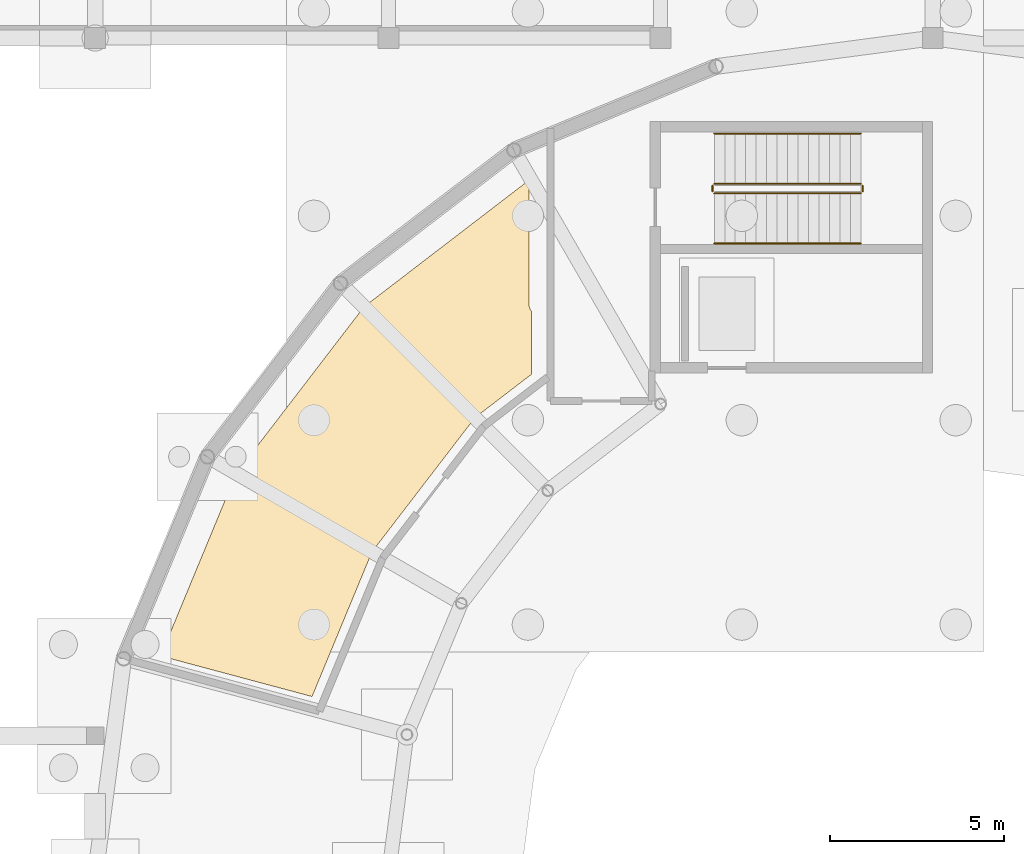
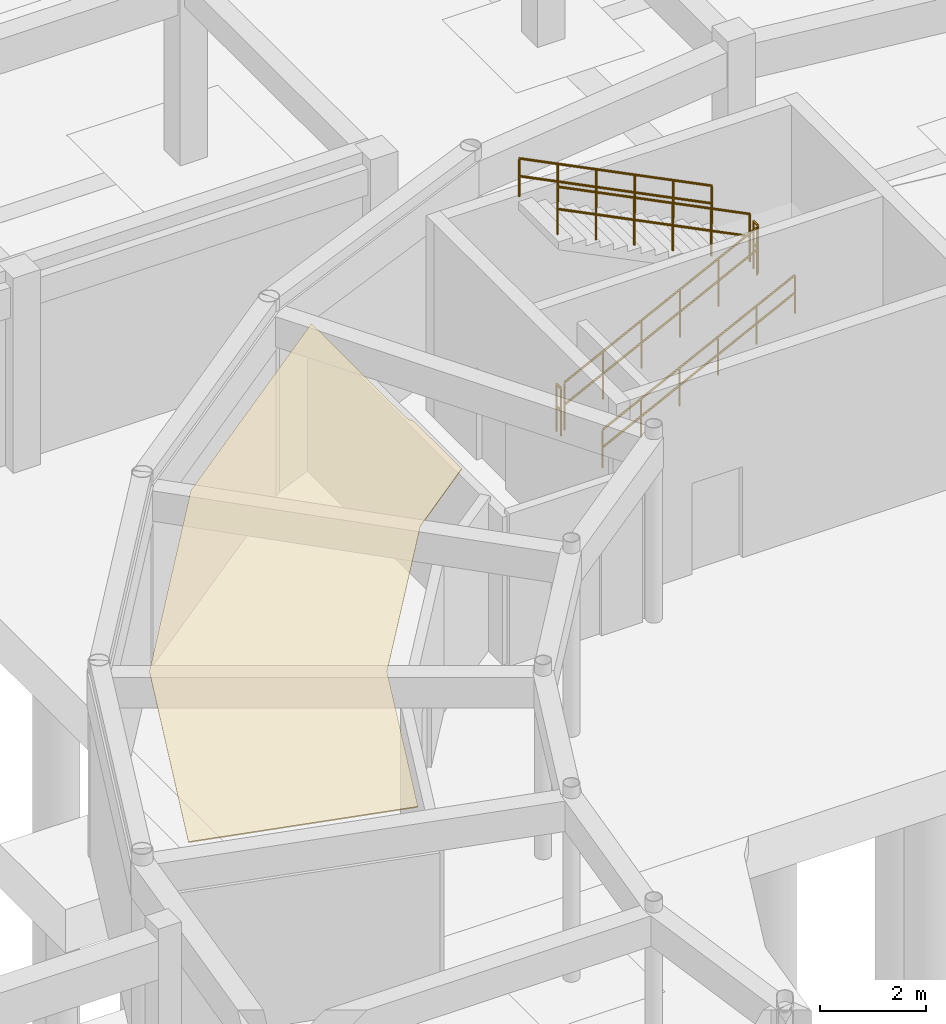
# One storey, part 38 of 43: 6 railings, 1 covering.
"""IFC4 building model written with IfcOpenShell, lengths in metres."""

from ifc_helpers import new_model, si_unit, derived_unit, direction, frame, origin, origin_2d, place, context, subcontext, project, spatial, polyline, circle, outline, extrude, material, layer, layer_set, type_object, element, save


model = new_model("IFC4")

# Units and contexts
model_context = context("Model", 3, precision=1e-05, world=origin(), true_north=direction((0.0, 1.0)))
body_context = subcontext(model_context, "Body", "Model", "MODEL_VIEW")
ifc_project = project(units=[si_unit("LENGTHUNIT", "METRE"), si_unit("AREAUNIT", "SQUARE_METRE"), si_unit("VOLUMEUNIT", "CUBIC_METRE"), si_unit("PLANEANGLEUNIT", "RADIAN"), si_unit("MASSUNIT", "GRAM", prefix="KILO"), derived_unit("THERMALTRANSMITTANCEUNIT", [(si_unit("POWERUNIT", "WATT"), 1), (si_unit("AREAUNIT", "SQUARE_METRE"), -1), (si_unit("THERMODYNAMICTEMPERATUREUNIT", "KELVIN"), -1)])], contexts=[model_context])

# Site, building, storey
site_placement = place(None, origin())
site = spatial("IfcSite", under=ifc_project, at=site_placement, CompositionType="ELEMENT")
building_placement = place(site_placement, origin())
building = spatial("IfcBuilding", under=site, at=building_placement, Name="Yasenodar Specialist Clinic", CompositionType="ELEMENT")
storey_placement = place(building_placement, frame((0.0, 0.0, -4.5)))
storey = spatial("IfcBuildingStorey", under=building, at=storey_placement, Name="B1", CompositionType="ELEMENT", Elevation=-4.5)

# Covering
ifc_material_1 = material(Name="Hygienic Acoustic Mineral-Fibre Ceiling")
ifc_layer = layer(ifc_material_1, 0.02490234375)
ifc_layer_set = layer_set([ifc_layer], Name="Hygienic Acoustic Mineral-Fibre Ceiling")
covering_type = type_object("IfcCoveringType", Name="COV-CEIL-AC", PredefinedType="CEILING", material=ifc_layer_set)
covering_placement = place(storey_placement, frame((0.0, 0.0, 4.2099609375)))
element("IfcCovering", 1, at=covering_placement, inside=storey, type_object=covering_type, Name="B1 Autoclave Sterilization Suite Acoustic Ceiling", PredefinedType="CEILING", context=body_context, shape_type="SweptSolid", body=[
    extrude(outline(polyline([(67.873046875, 71.906005859375), (67.85302734375, 71.882080078125), (64.9609375, 68.113037109375), (64.943115234375, 68.087890625), (64.927978515625, 68.06201171875), (64.9150390625, 68.033935546875), (63.214111328125, 63.927978515625), (58.873046875, 65.091064453125), (61.041015625, 70.322998046875), (64.702880859375, 75.096923828125), (69.429931640625, 78.72412109375), (69.429931640625, 75.179931640625), (69.431884765625, 75.14599609375), (69.43701171875, 75.112060546875), (69.445068359375, 75.077880859375), (69.45703125, 75.0458984375), (69.470947265625, 75.014892578125), (69.489013671875, 74.986083984375), (69.5, 74.970947265625), (69.5, 73.160888671875), (67.91796875, 71.947021484375), (67.89404296875, 71.927001953125), (67.873046875, 71.906005859375)])), origin(), (0.0, 0.0, 1.0), 0.025146484375),
])

# Railings
ifc_material_2 = material(Name="Steel S355 Painted Stair Guardrail", Category="steel")
railing_type_1 = type_object("IfcRailingType", Name="RL-ST-GRD", PredefinedType="GUARDRAIL", material=ifc_material_2)
railing_1_placement = place(storey_placement, frame((74.739990234375, 78.35009765625, 0.14990234375)))
element("IfcRailing", 2, at=railing_1_placement, inside=storey, type_object=railing_type_1, Name="B1 ST-03 stair guard 1", PredefinedType="GUARDRAIL", context=body_context, shape_type="SweptSolid", body=[
    extrude(circle(Radius=0.02392578125, at=origin_2d()), frame((0.0, 0.0, 1.09619140625), z_axis=(0.894416792377, 0.0, 0.447234392142), x_axis=(0.0, 1.0, 0.0)), (0.0, 0.0, 1.0), 4.69580078125),
    extrude(circle(Radius=0.02392578125, at=origin_2d()), frame((0.0, 0.0, 0.58251953125), z_axis=(0.894416792377, 0.0, 0.447234392142), x_axis=(0.0, 1.0, 0.0)), (0.0, 0.0, 1.0), 4.69580078125),
    extrude(circle(Radius=0.02099609375, at=origin_2d()), origin(), (0.0, 0.0, 1.0), 1.072021484375),
    extrude(circle(Radius=0.02099609375, at=origin_2d()), frame((0.840087890625, 0.0, 0.419921875)), (0.0, 0.0, 1.0), 1.072021484375),
    extrude(circle(Radius=0.02099609375, at=origin_2d()), frame((1.679931640625, 0.0, 0.840087890625)), (0.0, 0.0, 1.0), 1.072021484375),
    extrude(circle(Radius=0.02099609375, at=origin_2d()), frame((2.52001953125, 0.0, 1.260009765625)), (0.0, 0.0, 1.0), 1.072021484375),
    extrude(circle(Radius=0.02099609375, at=origin_2d()), frame((3.35986328125, 0.0, 1.68017578125)), (0.0, 0.0, 1.0), 1.072021484375),
    extrude(circle(Radius=0.02099609375, at=origin_2d()), frame((4.199951171875, 0.0, 2.10009765625)), (0.0, 0.0, 1.0), 1.072021484375),
])
railing_2_placement = place(storey_placement, frame((78.989990234375, 78.39990234375, 2.25)))
element("IfcRailing", 3, at=railing_2_placement, inside=storey, type_object=railing_type_1, Name="B1 ST-03 stair guard 2", PredefinedType="GUARDRAIL", context=body_context, shape_type="SweptSolid", body=[
    extrude(circle(Radius=0.02392578125, at=origin_2d()), frame((0.0, 0.0, 1.09619140625), z_axis=(0.0, 1.0, 0.0), x_axis=(-1.0, 0.0, 0.0)), (0.0, 0.0, 1.0), 0.170166015625),
    extrude(circle(Radius=0.02392578125, at=origin_2d()), frame((0.0, 0.0, 0.58251953125), z_axis=(0.0, 1.0, 0.0), x_axis=(-1.0, 0.0, 0.0)), (0.0, 0.0, 1.0), 0.170166015625),
    extrude(circle(Radius=0.02099609375, at=origin_2d()), origin(), (0.0, 0.0, 1.0), 1.072021484375),
    extrude(circle(Radius=0.02099609375, at=origin_2d()), frame((0.0, 0.170166015625, 0.0)), (0.0, 0.0, 1.0), 1.072021484375),
])
railing_3_placement = place(storey_placement, frame((78.93994140625, 78.6201171875, 2.39990234375)))
element("IfcRailing", 4, at=railing_3_placement, inside=storey, type_object=railing_type_1, Name="B1 ST-03 stair guard 3", PredefinedType="GUARDRAIL", context=body_context, shape_type="SweptSolid", body=[
    extrude(circle(Radius=0.02392578125, at=origin_2d()), frame((0.0, 0.0, 1.09619140625), z_axis=(-0.894416792377, 0.0, 0.447234392142), x_axis=(0.0, -1.0, 0.0)), (0.0, 0.0, 1.0), 4.69580078125),
    extrude(circle(Radius=0.02392578125, at=origin_2d()), frame((0.0, 0.0, 0.58251953125), z_axis=(-0.894416792377, 0.0, 0.447234392142), x_axis=(0.0, -1.0, 0.0)), (0.0, 0.0, 1.0), 4.69580078125),
    extrude(circle(Radius=0.02099609375, at=origin_2d()), origin(), (0.0, 0.0, 1.0), 1.072021484375),
    extrude(circle(Radius=0.02099609375, at=origin_2d()), frame((-0.840087890625, 0.0, 0.419921875)), (0.0, 0.0, 1.0), 1.072021484375),
    extrude(circle(Radius=0.02099609375, at=origin_2d()), frame((-1.679931640625, 0.0, 0.840087890625)), (0.0, 0.0, 1.0), 1.072021484375),
    extrude(circle(Radius=0.02099609375, at=origin_2d()), frame((-2.52001953125, 0.0, 1.260009765625)), (0.0, 0.0, 1.0), 1.072021484375),
    extrude(circle(Radius=0.02099609375, at=origin_2d()), frame((-3.35986328125, 0.0, 1.68017578125)), (0.0, 0.0, 1.0), 1.072021484375),
    extrude(circle(Radius=0.02099609375, at=origin_2d()), frame((-4.199951171875, 0.0, 2.10009765625)), (0.0, 0.0, 1.0), 1.072021484375),
])
railing_4_placement = place(storey_placement, frame((74.68994140625, 78.39990234375, 0.0)))
element("IfcRailing", 5, at=railing_4_placement, inside=storey, type_object=railing_type_1, Name="B1 ST-03 stair guard 4", PredefinedType="GUARDRAIL", context=body_context, shape_type="SweptSolid", body=[
    extrude(circle(Radius=0.02392578125, at=origin_2d()), frame((0.0, 0.0, 1.09619140625), z_axis=(0.0, 1.0, 0.0), x_axis=(-1.0, 0.0, 0.0)), (0.0, 0.0, 1.0), 0.170166015625),
    extrude(circle(Radius=0.02392578125, at=origin_2d()), frame((0.0, 0.0, 0.58251953125), z_axis=(0.0, 1.0, 0.0), x_axis=(-1.0, 0.0, 0.0)), (0.0, 0.0, 1.0), 0.170166015625),
    extrude(circle(Radius=0.02099609375, at=origin_2d()), origin(), (0.0, 0.0, 1.0), 1.072021484375),
    extrude(circle(Radius=0.02099609375, at=origin_2d()), frame((0.0, 0.170166015625, 0.0)), (0.0, 0.0, 1.0), 1.072021484375),
])
ifc_material_3 = material(Name="Brushed Stainless Steel Handrail", Category="steel")
railing_type_2 = type_object("IfcRailingType", Name="RL-ST-HND", PredefinedType="HANDRAIL", material=ifc_material_3)
railing_5_placement = place(storey_placement, frame((74.739990234375, 76.909912109375, 0.14990234375)))
element("IfcRailing", 6, at=railing_5_placement, inside=storey, type_object=railing_type_2, Name="B1 ST-03 stair handrail 1", PredefinedType="HANDRAIL", context=body_context, shape_type="SweptSolid", body=[
    extrude(circle(Radius=0.02392578125, at=origin_2d()), frame((0.0, 0.0, 0.8759765625), z_axis=(0.894416792377, 0.0, 0.447234392142), x_axis=(0.0, 1.0, 0.0)), (0.0, 0.0, 1.0), 4.69580078125),
    extrude(circle(Radius=0.02392578125, at=origin_2d()), frame((0.0, 0.0, 0.468017578125), z_axis=(0.894416792377, 0.0, 0.447234392142), x_axis=(0.0, 1.0, 0.0)), (0.0, 0.0, 1.0), 4.69580078125),
    extrude(circle(Radius=0.02099609375, at=origin_2d()), origin(), (0.0, 0.0, 1.0), 0.851806640625),
    extrude(circle(Radius=0.02099609375, at=origin_2d()), frame((0.840087890625, 0.0, 0.419921875)), (0.0, 0.0, 1.0), 0.851806640625),
    extrude(circle(Radius=0.02099609375, at=origin_2d()), frame((1.679931640625, 0.0, 0.840087890625)), (0.0, 0.0, 1.0), 0.851806640625),
    extrude(circle(Radius=0.02099609375, at=origin_2d()), frame((2.52001953125, 0.0, 1.260009765625)), (0.0, 0.0, 1.0), 0.851806640625),
    extrude(circle(Radius=0.02099609375, at=origin_2d()), frame((3.35986328125, 0.0, 1.68017578125)), (0.0, 0.0, 1.0), 0.851806640625),
    extrude(circle(Radius=0.02099609375, at=origin_2d()), frame((4.199951171875, 0.0, 2.10009765625)), (0.0, 0.0, 1.0), 0.851806640625),
])
railing_6_placement = place(storey_placement, frame((78.93994140625, 80.06005859375, 2.39990234375)))
element("IfcRailing", 7, at=railing_6_placement, inside=storey, type_object=railing_type_2, Name="B1 ST-03 stair handrail 2", PredefinedType="HANDRAIL", context=body_context, shape_type="SweptSolid", body=[
    extrude(circle(Radius=0.02392578125, at=origin_2d()), frame((0.0, 0.0, 0.8759765625), z_axis=(-0.894416792377, 0.0, 0.447234392142), x_axis=(0.0, -1.0, 0.0)), (0.0, 0.0, 1.0), 4.69580078125),
    extrude(circle(Radius=0.02392578125, at=origin_2d()), frame((0.0, 0.0, 0.468017578125), z_axis=(-0.894416792377, 0.0, 0.447234392142), x_axis=(0.0, -1.0, 0.0)), (0.0, 0.0, 1.0), 4.69580078125),
    extrude(circle(Radius=0.02099609375, at=origin_2d()), origin(), (0.0, 0.0, 1.0), 0.851806640625),
    extrude(circle(Radius=0.02099609375, at=origin_2d()), frame((-0.840087890625, 0.0, 0.419921875)), (0.0, 0.0, 1.0), 0.851806640625),
    extrude(circle(Radius=0.02099609375, at=origin_2d()), frame((-1.679931640625, 0.0, 0.840087890625)), (0.0, 0.0, 1.0), 0.851806640625),
    extrude(circle(Radius=0.02099609375, at=origin_2d()), frame((-2.52001953125, 0.0, 1.260009765625)), (0.0, 0.0, 1.0), 0.851806640625),
    extrude(circle(Radius=0.02099609375, at=origin_2d()), frame((-3.35986328125, 0.0, 1.68017578125)), (0.0, 0.0, 1.0), 0.851806640625),
    extrude(circle(Radius=0.02099609375, at=origin_2d()), frame((-4.199951171875, 0.0, 2.10009765625)), (0.0, 0.0, 1.0), 0.851806640625),
])

save(model, "model.ifc")
